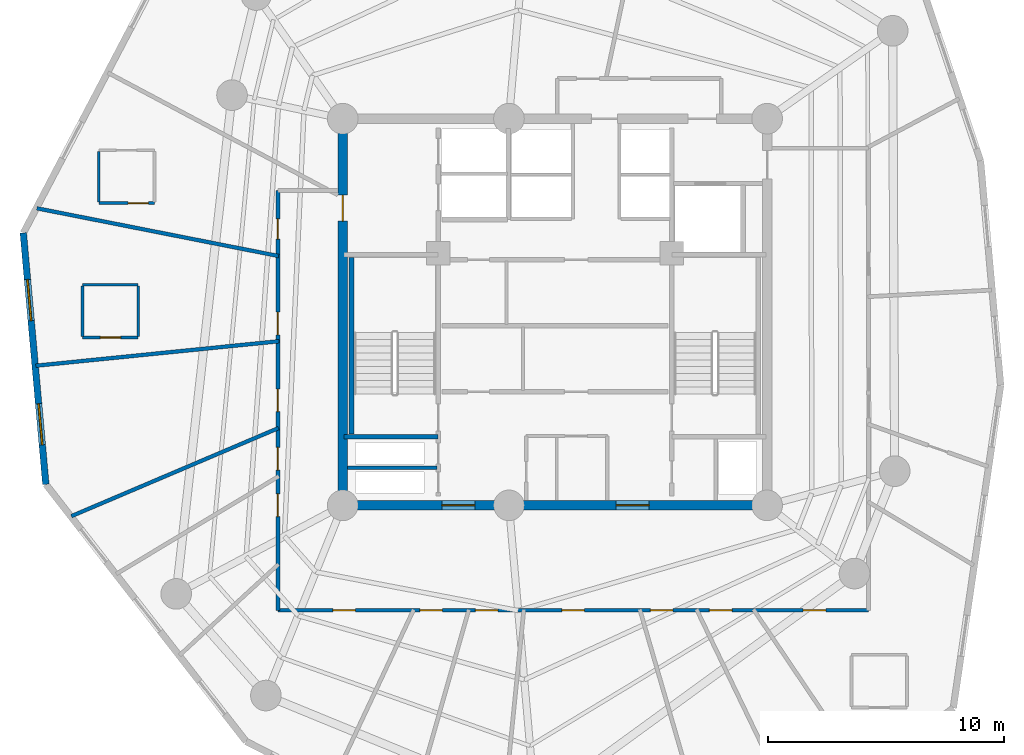
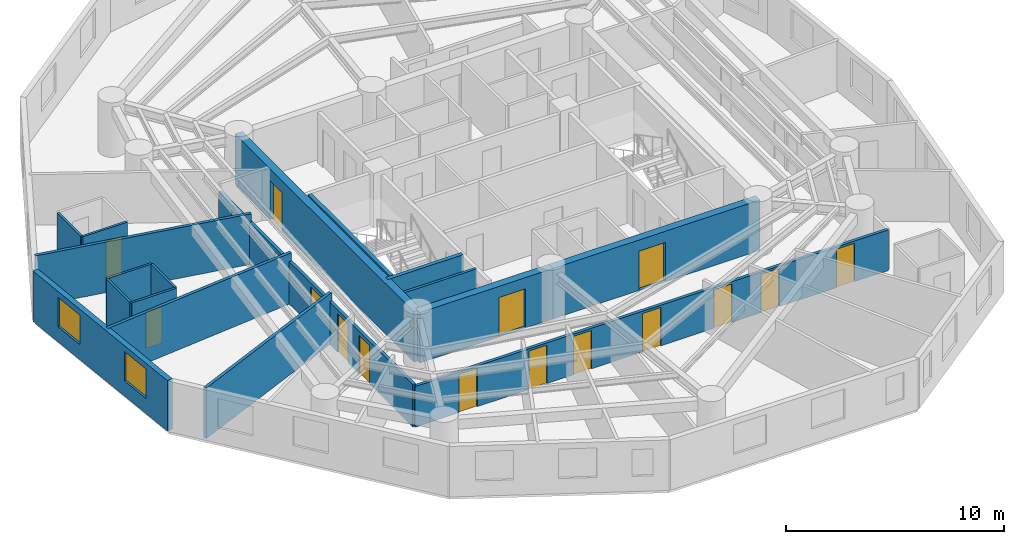
# One storey, part 3 of 7: 18 walls, 17 doors, 2 windows, 19 openings.
"""IFC4 building model written with IfcOpenShell, lengths in metres."""

from ifc_helpers import new_model, si_unit, direction, frame, frame_2d, origin, origin_with_axes, place, context, subcontext, project, spatial, rectangle, extrude, source, transform, mapped, material, layer, layer_set, type_object, element, fill, save


model = new_model("IFC4")

# Units and contexts
model_context = context("Model", 3, precision=1e-05, world=origin(), true_north=direction((0.0, 1.0)))
body_context = subcontext(model_context, "Body", "Model", "MODEL_VIEW")
ifc_project = project(units=[si_unit("LENGTHUNIT", "METRE"), si_unit("AREAUNIT", "SQUARE_METRE"), si_unit("VOLUMEUNIT", "CUBIC_METRE"), si_unit("PLANEANGLEUNIT", "RADIAN"), si_unit("MASSUNIT", "GRAM", prefix="KILO")], contexts=[model_context])

# Site, building, storey
site_placement = place(None, origin())
site = spatial("IfcSite", under=ifc_project, at=site_placement, CompositionType="ELEMENT")
building_placement = place(site_placement, origin())
building = spatial("IfcBuilding", under=site, at=building_placement, Name="Karkom Vertical University and Central Library", CompositionType="ELEMENT")
storey_placement = place(building_placement, frame((0.0, 0.0, 199.25)))
storey = spatial("IfcBuildingStorey", under=building, at=storey_placement, Name="L58", CompositionType="ELEMENT", Elevation=199.25)

# Wall, openings, windows
ifc_material_1 = material(Name="Brick-faced precast concrete C45/55", Category="masonry")
ifc_layer_1 = layer(ifc_material_1, 0.280029296875)
ifc_layer_set_1 = layer_set([ifc_layer_1], Name="Brick-faced precast concrete C45/55")
wall_type_1 = type_object("IfcWallType", Name="ENV-WL-BRK-280", PredefinedType="SOLIDWALL", material=ifc_layer_set_1)
wall_1_placement = place(storey_placement, frame((5.95068359375, 29.854736328125, 0.0), z_axis=(0.0, 0.0, 1.0), x_axis=(0.08926720843, -0.996007713574, 0.0)))
wall_1 = element("IfcWall", 1, at=wall_1_placement, inside=storey, type_object=wall_type_1, Name="Level 58 Brick-Faced Precast Facade Wall 01", PredefinedType="SOLIDWALL", context=body_context, shape_type="SweptSolid", body=[
    extrude(rectangle(XDim=10.707275390625, YDim=0.280029296875, at=frame_2d((5.353515625, 0.0))), origin(), (0.0, 0.0, 1.0), 2.824951171875),
])
opening_1_placement = place(wall_1_placement, frame((1.9833984375, 0.0, 0.85009765625)))
opening_1 = element("IfcOpeningElement", 2, at=opening_1_placement, cuts=wall_1, Name="Opening WN-08", PredefinedType="OPENING", context=body_context, shape_type="SweptSolid", body=[
    extrude(rectangle(XDim=1.75, YDim=1.64990234375, at=frame_2d((0.875, 0.824951171875))), frame((0.0, 0.14990234375, 0.0), z_axis=(0.0, -1.0, 0.0), x_axis=(1.0, 0.0, 0.0)), (0.0, 0.0, 1.0), 0.300048828125),
])
opening_2_placement = place(wall_1_placement, frame((7.277099609375, 0.0, 0.85009765625)))
opening_2 = element("IfcOpeningElement", 3, at=opening_2_placement, cuts=wall_1, Name="Opening WN-08", PredefinedType="OPENING", context=body_context, shape_type="SweptSolid", body=[
    extrude(rectangle(XDim=1.75, YDim=1.64990234375, at=frame_2d((0.875, 0.824951171875))), frame((0.0, 0.14990234375, 0.0), z_axis=(0.0, -1.0, 0.0), x_axis=(1.0, 0.0, 0.0)), (0.0, 0.0, 1.0), 0.300048828125),
])
ifc_material_2 = material(Name="Aluminium thermal-break frame with solar-control IGU", Category="aluminium")
window_type = type_object("IfcWindowType", Name="ENV-WIN-WN-08", PartitioningType="SINGLE_PANEL", PredefinedType="WINDOW", material=ifc_material_2)
shared_shape_1 = source(origin_with_axes(), body_context, "Body", "SweptSolid", [
    extrude(rectangle(XDim=1.75, YDim=1.64990234375, at=frame_2d((0.875, 0.824951171875))), frame((0.0, 0.030029296875, 0.0), z_axis=(0.0, -1.0, 0.0), x_axis=(1.0, 0.0, 0.0)), (0.0, 0.0, 1.0), 0.06005859375),
])
window_1_placement = place(opening_1_placement, origin())
window_1 = element("IfcWindow", 4, at=window_1_placement, inside=storey, type_object=window_type, Name="Level 58 Punched Window 1.1", OverallHeight=1.64990234375, OverallWidth=1.75, PartitioningType="SINGLE_PANEL", PredefinedType="WINDOW", context=body_context, shape_type="MappedRepresentation", body=[
    mapped(shared_shape_1, transform((0.0, 0.0, 0.0), scale=1.0)),
])
fill(opening_1, window_1)
window_2_placement = place(opening_2_placement, origin())
window_2 = element("IfcWindow", 5, at=window_2_placement, inside=storey, type_object=window_type, Name="Level 58 Punched Window 1.2", OverallHeight=1.64990234375, OverallWidth=1.75, PartitioningType="SINGLE_PANEL", PredefinedType="WINDOW", context=body_context, shape_type="MappedRepresentation", body=[
    mapped(shared_shape_1, transform((0.0, 0.0, 0.0), scale=1.0)),
])
fill(opening_2, window_2)

# Wall, openings, doors
ifc_material_3 = material(Name="Insulated metal-stud drywall 160mm", Category="gypsum")
ifc_layer_2 = layer(ifc_material_3, 0.159912109375)
ifc_layer_set_2 = layer_set([ifc_layer_2], Name="Insulated metal-stud drywall 160mm")
wall_type_2 = type_object("IfcWallType", Name="INT-WL-COR-160", PredefinedType="PARTITIONING", material=ifc_layer_set_2)
wall_2_placement = place(storey_placement, frame((41.800048828125, 13.85009765625, 0.0), z_axis=(0.0, 0.0, 1.0), x_axis=(-1.0, 0.0, 0.0)))
wall_2 = element("IfcWall", 6, at=wall_2_placement, inside=storey, type_object=wall_type_2, Name="Level 58 Interior Partition Wall L58-CORW-CW-001", PredefinedType="PARTITIONING", context=body_context, shape_type="SweptSolid", body=[
    extrude(rectangle(XDim=25.050048828125, YDim=0.159912109375, at=frame_2d((12.52490234375, 0.0))), origin(), (0.0, 0.0, 1.0), 2.27490234375),
])
opening_3_placement = place(wall_2_placement, frame((1.812255859375, 0.0, 0.0)))
opening_3 = element("IfcOpeningElement", 7, at=opening_3_placement, cuts=wall_2, Name="Opening FD-RM2", PredefinedType="OPENING", context=body_context, shape_type="SweptSolid", body=[
    extrude(rectangle(XDim=0.9599609375, YDim=2.14990234375, at=frame_2d((0.47998046875, 1.074951171875))), frame((0.0, 0.08984375, 0.0), z_axis=(0.0, -1.0, 0.0), x_axis=(1.0, 0.0, 0.0)), (0.0, 0.0, 1.0), 0.179931640625),
])
opening_4_placement = place(wall_2_placement, frame((21.760986328125, 0.0, 0.0)))
opening_4 = element("IfcOpeningElement", 8, at=opening_4_placement, cuts=wall_2, Name="Opening FD-RM2", PredefinedType="OPENING", context=body_context, shape_type="SweptSolid", body=[
    extrude(rectangle(XDim=0.9599609375, YDim=2.14990234375, at=frame_2d((0.47998046875, 1.074951171875))), frame((0.0, 0.08984375, 0.0), z_axis=(0.0, -1.0, 0.0), x_axis=(1.0, 0.0, 0.0)), (0.0, 0.0, 1.0), 0.179931640625),
])
opening_5_placement = place(wall_2_placement, frame((18.072509765625, 0.0, 0.0)))
opening_5 = element("IfcOpeningElement", 9, at=opening_5_placement, cuts=wall_2, Name="Opening FD-RM2", PredefinedType="OPENING", context=body_context, shape_type="SweptSolid", body=[
    extrude(rectangle(XDim=0.9599609375, YDim=2.14990234375, at=frame_2d((0.47998046875, 1.074951171875))), frame((0.0, 0.08984375, 0.0), z_axis=(0.0, -1.0, 0.0), x_axis=(1.0, 0.0, 0.0)), (0.0, 0.0, 1.0), 0.179931640625),
])
opening_6_placement = place(wall_2_placement, frame((15.717529296875, 0.0, 0.0)))
opening_6 = element("IfcOpeningElement", 10, at=opening_6_placement, cuts=wall_2, Name="Opening FD-RM2", PredefinedType="OPENING", context=body_context, shape_type="SweptSolid", body=[
    extrude(rectangle(XDim=0.9599609375, YDim=2.14990234375, at=frame_2d((0.47998046875, 1.074951171875))), frame((0.0, 0.08984375, 0.0), z_axis=(0.0, -1.0, 0.0), x_axis=(1.0, 0.0, 0.0)), (0.0, 0.0, 1.0), 0.179931640625),
])
opening_7_placement = place(wall_2_placement, frame((12.050048828125, 0.0, 0.0)))
opening_7 = element("IfcOpeningElement", 11, at=opening_7_placement, cuts=wall_2, Name="Opening FD-RM2", PredefinedType="OPENING", context=body_context, shape_type="SweptSolid", body=[
    extrude(rectangle(XDim=0.9599609375, YDim=2.14990234375, at=frame_2d((0.47998046875, 1.074951171875))), frame((0.0, 0.08984375, 0.0), z_axis=(0.0, -1.0, 0.0), x_axis=(1.0, 0.0, 0.0)), (0.0, 0.0, 1.0), 0.179931640625),
])
opening_8_placement = place(wall_2_placement, frame((8.29248046875, 0.0, 0.0)))
opening_8 = element("IfcOpeningElement", 12, at=opening_8_placement, cuts=wall_2, Name="Opening FD-RM2", PredefinedType="OPENING", context=body_context, shape_type="SweptSolid", body=[
    extrude(rectangle(XDim=0.9599609375, YDim=2.14990234375, at=frame_2d((0.47998046875, 1.074951171875))), frame((0.0, 0.08984375, 0.0), z_axis=(0.0, -1.0, 0.0), x_axis=(1.0, 0.0, 0.0)), (0.0, 0.0, 1.0), 0.179931640625),
])
opening_9_placement = place(wall_2_placement, frame((5.78759765625, 0.0, 0.0)))
opening_9 = element("IfcOpeningElement", 13, at=opening_9_placement, cuts=wall_2, Name="Opening FD-RM2", PredefinedType="OPENING", context=body_context, shape_type="SweptSolid", body=[
    extrude(rectangle(XDim=0.9599609375, YDim=2.14990234375, at=frame_2d((0.47998046875, 1.074951171875))), frame((0.0, 0.08984375, 0.0), z_axis=(0.0, -1.0, 0.0), x_axis=(1.0, 0.0, 0.0)), (0.0, 0.0, 1.0), 0.179931640625),
])
ifc_material_4 = material(Name="Fire-rated oak veneer door", Category="wood")
door_type_1 = type_object("IfcDoorType", Name="INT-DR-FRM2", OperationType="NOTDEFINED", PredefinedType="DOOR", material=ifc_material_4)
shared_shape_2 = source(origin_with_axes(), body_context, "Body", "SweptSolid", [
    extrude(rectangle(XDim=0.9599609375, YDim=2.14990234375, at=frame_2d((0.47998046875, 1.074951171875))), frame((0.0, 0.02490234375, 0.0), z_axis=(0.0, -1.0, 0.0), x_axis=(1.0, 0.0, 0.0)), (0.0, 0.0, 1.0), 0.050048828125),
])
door_1_placement = place(opening_3_placement, origin())
door_1 = element("IfcDoor", 14, at=door_1_placement, inside=storey, type_object=door_type_1, Name="Level 58 Room Entry Door 090", OperationType="SINGLE_SWING_RIGHT", OverallHeight=2.14990234375, OverallWidth=0.9599609375, PredefinedType="DOOR", context=body_context, shape_type="MappedRepresentation", body=[
    mapped(shared_shape_2, transform((0.0, 0.0, 0.0), scale=1.0)),
])
fill(opening_3, door_1)
door_2_placement = place(opening_4_placement, origin())
door_2 = element("IfcDoor", 15, at=door_2_placement, inside=storey, type_object=door_type_1, Name="Level 58 Room Entry Door 031", OperationType="SINGLE_SWING_LEFT", OverallHeight=2.14990234375, OverallWidth=0.9599609375, PredefinedType="DOOR", context=body_context, shape_type="MappedRepresentation", body=[
    mapped(shared_shape_2, transform((0.0, 0.0, 0.0), scale=1.0)),
])
fill(opening_4, door_2)
door_3_placement = place(opening_5_placement, origin())
door_3 = element("IfcDoor", 16, at=door_3_placement, inside=storey, type_object=door_type_1, Name="Level 58 Room Entry Door 041", OperationType="SINGLE_SWING_RIGHT", OverallHeight=2.14990234375, OverallWidth=0.9599609375, PredefinedType="DOOR", context=body_context, shape_type="MappedRepresentation", body=[
    mapped(shared_shape_2, transform((0.0, 0.0, 0.0), scale=1.0)),
])
fill(opening_5, door_3)
door_4_placement = place(opening_6_placement, origin())
door_4 = element("IfcDoor", 17, at=door_4_placement, inside=storey, type_object=door_type_1, Name="Level 58 Room Entry Door 051", OperationType="SINGLE_SWING_LEFT", OverallHeight=2.14990234375, OverallWidth=0.9599609375, PredefinedType="DOOR", context=body_context, shape_type="MappedRepresentation", body=[
    mapped(shared_shape_2, transform((0.0, 0.0, 0.0), scale=1.0)),
])
fill(opening_6, door_4)
door_5_placement = place(opening_7_placement, origin())
door_5 = element("IfcDoor", 18, at=door_5_placement, inside=storey, type_object=door_type_1, Name="Level 58 Room Entry Door 061", OperationType="SINGLE_SWING_RIGHT", OverallHeight=2.14990234375, OverallWidth=0.9599609375, PredefinedType="DOOR", context=body_context, shape_type="MappedRepresentation", body=[
    mapped(shared_shape_2, transform((0.0, 0.0, 0.0), scale=1.0)),
])
fill(opening_7, door_5)
door_6_placement = place(opening_8_placement, origin())
door_6 = element("IfcDoor", 19, at=door_6_placement, inside=storey, type_object=door_type_1, Name="Level 58 Room Entry Door 071", OperationType="SINGLE_SWING_LEFT", OverallHeight=2.14990234375, OverallWidth=0.9599609375, PredefinedType="DOOR", context=body_context, shape_type="MappedRepresentation", body=[
    mapped(shared_shape_2, transform((0.0, 0.0, 0.0), scale=1.0)),
])
fill(opening_8, door_6)
door_7_placement = place(opening_9_placement, origin())
door_7 = element("IfcDoor", 20, at=door_7_placement, inside=storey, type_object=door_type_1, Name="Level 58 Room Entry Door 081", OperationType="SINGLE_SWING_RIGHT", OverallHeight=2.14990234375, OverallWidth=0.9599609375, PredefinedType="DOOR", context=body_context, shape_type="MappedRepresentation", body=[
    mapped(shared_shape_2, transform((0.0, 0.0, 0.0), scale=1.0)),
])
fill(opening_9, door_7)

wall_3_placement = place(storey_placement, frame((16.75, 13.85009765625, 0.0), z_axis=(0.0, 0.0, 1.0), x_axis=(0.0, 1.0, 0.0)))
wall_3 = element("IfcWall", 21, at=wall_3_placement, inside=storey, type_object=wall_type_2, Name="Level 58 Interior Partition Wall L58-CORW-CW-002", PredefinedType="PARTITIONING", context=body_context, shape_type="SweptSolid", body=[
    extrude(rectangle(XDim=17.7998046875, YDim=0.159912109375, at=frame_2d((8.89990234375, 0.0))), origin(), (0.0, 0.0, 1.0), 2.375),
])
opening_10_placement = place(wall_3_placement, frame((11.68505859375, 0.0, 0.0)))
opening_10 = element("IfcOpeningElement", 22, at=opening_10_placement, cuts=wall_3, Name="Opening FD-RM2", PredefinedType="OPENING", context=body_context, shape_type="SweptSolid", body=[
    extrude(rectangle(XDim=0.9599609375, YDim=2.14990234375, at=frame_2d((0.47998046875, 1.074951171875))), frame((0.0, 0.08984375, 0.0), z_axis=(0.0, -1.0, 0.0), x_axis=(1.0, 0.0, 0.0)), (0.0, 0.0, 1.0), 0.179931640625),
])
opening_11_placement = place(wall_3_placement, frame((8.425048828125, 0.0, 0.0)))
opening_11 = element("IfcOpeningElement", 23, at=opening_11_placement, cuts=wall_3, Name="Opening FD-RM2", PredefinedType="OPENING", context=body_context, shape_type="SweptSolid", body=[
    extrude(rectangle(XDim=0.9599609375, YDim=2.14990234375, at=frame_2d((0.47998046875, 1.074951171875))), frame((0.0, 0.08984375, 0.0), z_axis=(0.0, -1.0, 0.0), x_axis=(1.0, 0.0, 0.0)), (0.0, 0.0, 1.0), 0.179931640625),
])
opening_12_placement = place(wall_3_placement, frame((5.945068359375, 0.0, 0.0)))
opening_12 = element("IfcOpeningElement", 24, at=opening_12_placement, cuts=wall_3, Name="Opening FD-RM2", PredefinedType="OPENING", context=body_context, shape_type="SweptSolid", body=[
    extrude(rectangle(XDim=0.9599609375, YDim=2.14990234375, at=frame_2d((0.47998046875, 1.074951171875))), frame((0.0, 0.08984375, 0.0), z_axis=(0.0, -1.0, 0.0), x_axis=(1.0, 0.0, 0.0)), (0.0, 0.0, 1.0), 0.179931640625),
])
opening_13_placement = place(wall_3_placement, frame((3.97509765625, 0.0, 0.0)))
opening_13 = element("IfcOpeningElement", 25, at=opening_13_placement, cuts=wall_3, Name="Opening FD-RM2", PredefinedType="OPENING", context=body_context, shape_type="SweptSolid", body=[
    extrude(rectangle(XDim=0.9599609375, YDim=2.14990234375, at=frame_2d((0.47998046875, 1.074951171875))), frame((0.0, 0.08984375, 0.0), z_axis=(0.0, -1.0, 0.0), x_axis=(1.0, 0.0, 0.0)), (0.0, 0.0, 1.0), 0.179931640625),
])
opening_14_placement = place(wall_3_placement, frame((15.74072265625, 0.0, 0.0)))
opening_14 = element("IfcOpeningElement", 26, at=opening_14_placement, cuts=wall_3, Name="Opening FD-BTH2", PredefinedType="OPENING", context=body_context, shape_type="SweptSolid", body=[
    extrude(rectangle(XDim=0.860107421875, YDim=2.0400390625, at=frame_2d((0.43017578125, 1.02001953125))), frame((0.0, 0.08984375, 0.0), z_axis=(0.0, -1.0, 0.0), x_axis=(1.0, 0.0, 0.0)), (0.0, 0.0, 1.0), 0.179931640625),
])
door_8_placement = place(opening_10_placement, origin())
door_8 = element("IfcDoor", 27, at=door_8_placement, inside=storey, type_object=door_type_1, Name="Level 58 Room Entry Door 160", OperationType="SINGLE_SWING_LEFT", OverallHeight=2.14990234375, OverallWidth=0.9599609375, PredefinedType="DOOR", context=body_context, shape_type="MappedRepresentation", body=[
    mapped(shared_shape_2, transform((0.0, 0.0, 0.0), scale=1.0)),
])
fill(opening_10, door_8)
door_9_placement = place(opening_11_placement, origin())
door_9 = element("IfcDoor", 28, at=door_9_placement, inside=storey, type_object=door_type_1, Name="Level 58 Room Entry Door 001", OperationType="SINGLE_SWING_RIGHT", OverallHeight=2.14990234375, OverallWidth=0.9599609375, PredefinedType="DOOR", context=body_context, shape_type="MappedRepresentation", body=[
    mapped(shared_shape_2, transform((0.0, 0.0, 0.0), scale=1.0)),
])
fill(opening_11, door_9)
door_10_placement = place(opening_12_placement, origin())
door_10 = element("IfcDoor", 29, at=door_10_placement, inside=storey, type_object=door_type_1, Name="Level 58 Room Entry Door 011", OperationType="SINGLE_SWING_LEFT", OverallHeight=2.14990234375, OverallWidth=0.9599609375, PredefinedType="DOOR", context=body_context, shape_type="MappedRepresentation", body=[
    mapped(shared_shape_2, transform((0.0, 0.0, 0.0), scale=1.0)),
])
fill(opening_12, door_10)
door_11_placement = place(opening_13_placement, origin())
door_11 = element("IfcDoor", 30, at=door_11_placement, inside=storey, type_object=door_type_1, Name="Level 58 Room Entry Door 021", OperationType="SINGLE_SWING_RIGHT", OverallHeight=2.14990234375, OverallWidth=0.9599609375, PredefinedType="DOOR", context=body_context, shape_type="MappedRepresentation", body=[
    mapped(shared_shape_2, transform((0.0, 0.0, 0.0), scale=1.0)),
])
fill(opening_13, door_11)
ifc_material_5 = material(Name="Fire-rated moisture-resistant oak door", Category="wood")
door_type_2 = type_object("IfcDoorType", Name="INT-DR-FBTH2", OperationType="NOTDEFINED", PredefinedType="DOOR", material=ifc_material_5)
shared_shape_3 = source(origin_with_axes(), body_context, "Body", "SweptSolid", [
    extrude(rectangle(XDim=0.860107421875, YDim=2.0400390625, at=frame_2d((0.43017578125, 1.02001953125))), frame((0.0, 0.02490234375, 0.0), z_axis=(0.0, -1.0, 0.0), x_axis=(1.0, 0.0, 0.0)), (0.0, 0.0, 1.0), 0.050048828125),
])
door_12_placement = place(opening_14_placement, origin())
door_12 = element("IfcDoor", 31, at=door_12_placement, inside=storey, type_object=door_type_2, Name="Level 58 Key L58-15 Visiting Scholar Hotel Room Entry Door", OperationType="SINGLE_SWING_LEFT", OverallHeight=2.0400390625, OverallWidth=0.860107421875, PredefinedType="DOOR", context=body_context, shape_type="MappedRepresentation", body=[
    mapped(shared_shape_3, transform((0.0, 0.0, 0.0), scale=1.0)),
])
fill(opening_14, door_12)

# Walls
wall_4_placement = place(storey_placement, frame((16.779296875, 28.875, 0.0), z_axis=(0.0, 0.0, 1.0), x_axis=(-0.981067427603, 0.193666472311, 0.0)))
element("IfcWall", 32, at=wall_4_placement, inside=storey, type_object=wall_type_2, Name="Level 58 Interior Partition Wall L58-PW-017", PredefinedType="PARTITIONING", context=body_context, shape_type="SweptSolid", body=[
    extrude(rectangle(XDim=10.447998046875, YDim=0.159912109375, at=frame_2d((5.22412109375, 0.0))), origin(), (0.0, 0.0, 1.0), 2.824951171875),
])
wall_5_placement = place(storey_placement, frame((6.480712890625, 24.222412109375, 0.0), z_axis=(0.0, 0.0, 1.0), x_axis=(0.994968633779, 0.100186914292, 0.0)))
element("IfcWall", 33, at=wall_5_placement, inside=storey, type_object=wall_type_2, Name="Level 58 Interior Partition Wall L58-PW-002", PredefinedType="PARTITIONING", context=body_context, shape_type="SweptSolid", body=[
    extrude(rectangle(XDim=10.366455078125, YDim=0.159912109375, at=frame_2d((5.18310546875, 0.0))), origin(), (0.0, 0.0, 1.0), 2.824951171875),
])
wall_6_placement = place(storey_placement, frame((16.777587890625, 21.5791015625, 0.0), z_axis=(0.0, 0.0, 1.0), x_axis=(-0.920225962441, -0.391387503697, 0.0)))
element("IfcWall", 34, at=wall_6_placement, inside=storey, type_object=wall_type_2, Name="Level 58 Interior Partition Wall L58-PW-001", PredefinedType="PARTITIONING", context=body_context, shape_type="SweptSolid", body=[
    extrude(rectangle(XDim=9.548828125, YDim=0.159912109375, at=frame_2d((4.7744140625, 0.0))), origin(), (0.0, 0.0, 1.0), 2.824951171875),
])

# Wall, opening, door
ifc_material_6 = material(Name="Moisture-resistant drywall 120mm", Category="gypsum")
ifc_layer_3 = layer(ifc_material_6, 0.1201171875)
ifc_layer_set_3 = layer_set([ifc_layer_3], Name="Moisture-resistant drywall 120mm")
wall_type_3 = type_object("IfcWallType", Name="INT-WL-INT-120F", PredefinedType="PARTITIONING", material=ifc_layer_set_3)
wall_7_placement = place(storey_placement, frame((9.153076171875, 31.118896484375, 0.0), z_axis=(0.0, 0.0, 1.0), x_axis=(1.0, 0.0, 0.0)))
wall_7 = element("IfcWall", 35, at=wall_7_placement, inside=storey, type_object=wall_type_3, Name="Level 58 Interior Partition Wall L58-ENS-15-S", PredefinedType="PARTITIONING", context=body_context, shape_type="SweptSolid", body=[
    extrude(rectangle(XDim=2.35986328125, YDim=0.1201171875, at=frame_2d((1.179931640625, 0.0))), origin(), (0.0, 0.0, 1.0), 2.824951171875),
])
opening_15_placement = place(wall_7_placement, frame((1.239990234375, 0.0, 0.0)))
opening_15 = element("IfcOpeningElement", 36, at=opening_15_placement, cuts=wall_7, Name="Opening D-BATH", PredefinedType="OPENING", context=body_context, shape_type="SweptSolid", body=[
    extrude(rectangle(XDim=0.860107421875, YDim=2.10009765625, at=frame_2d((0.43017578125, 1.050048828125))), frame((0.0, 0.070068359375, 0.0), z_axis=(0.0, -1.0, 0.0), x_axis=(1.0, 0.0, 0.0)), (0.0, 0.0, 1.0), 0.14013671875),
])
ifc_material_7 = material(Name="Moisture-resistant oak door", Category="wood")
door_type_3 = type_object("IfcDoorType", Name="INT-DR-BATH", OperationType="NOTDEFINED", PredefinedType="DOOR", material=ifc_material_7)
shared_shape_4 = source(origin_with_axes(), body_context, "Body", "SweptSolid", [
    extrude(rectangle(XDim=0.860107421875, YDim=2.10009765625, at=frame_2d((0.43017578125, 1.050048828125))), frame((0.0, 0.02490234375, 0.0), z_axis=(0.0, -1.0, 0.0), x_axis=(1.0, 0.0, 0.0)), (0.0, 0.0, 1.0), 0.050048828125),
])
door_13_placement = place(opening_15_placement, origin())
door_13 = element("IfcDoor", 37, at=door_13_placement, inside=storey, type_object=door_type_3, Name="Level 58 En-Suite Bathroom Door 15", OperationType="SINGLE_SWING_LEFT", OverallHeight=2.10009765625, OverallWidth=0.860107421875, PredefinedType="DOOR", context=body_context, shape_type="MappedRepresentation", body=[
    mapped(shared_shape_4, transform((0.0, 0.0, 0.0), scale=1.0)),
])
fill(opening_15, door_13)

wall_8_placement = place(storey_placement, frame((8.465087890625, 25.41796875, 0.0), z_axis=(0.0, 0.0, 1.0), x_axis=(1.0, 0.0, 0.0)))
wall_8 = element("IfcWall", 38, at=wall_8_placement, inside=storey, type_object=wall_type_3, Name="Level 58 Interior Partition Wall L58-ENS-16-S", PredefinedType="PARTITIONING", context=body_context, shape_type="SweptSolid", body=[
    extrude(rectangle(XDim=2.35986328125, YDim=0.1201171875, at=frame_2d((1.179931640625, 0.0))), origin(), (0.0, 0.0, 1.0), 2.824951171875),
])
opening_16_placement = place(wall_8_placement, frame((0.75, 0.0, 0.0)))
opening_16 = element("IfcOpeningElement", 39, at=opening_16_placement, cuts=wall_8, Name="Opening D-BTH2", PredefinedType="OPENING", context=body_context, shape_type="SweptSolid", body=[
    extrude(rectangle(XDim=0.860107421875, YDim=2.0400390625, at=frame_2d((0.43017578125, 1.02001953125))), frame((0.0, 0.070068359375, 0.0), z_axis=(0.0, -1.0, 0.0), x_axis=(1.0, 0.0, 0.0)), (0.0, 0.0, 1.0), 0.14013671875),
])
door_type_4 = type_object("IfcDoorType", Name="INT-DR-DBTH2", OperationType="NOTDEFINED", PredefinedType="DOOR", material=ifc_material_7)
door_14_placement = place(opening_16_placement, origin())
door_14 = element("IfcDoor", 40, at=door_14_placement, inside=storey, type_object=door_type_4, Name="Level 58 En-Suite Bathroom Door 16", OperationType="SINGLE_SWING_RIGHT", OverallHeight=2.0400390625, OverallWidth=0.860107421875, PredefinedType="DOOR", context=body_context, shape_type="MappedRepresentation", body=[
    mapped(shared_shape_3, transform((0.0, 0.0, 0.0), scale=1.0)),
])
fill(opening_16, door_14)

# Walls
wall_9_placement = place(storey_placement, frame((10.824951171875, 27.657958984375, 0.0), z_axis=(0.0, 0.0, 1.0), x_axis=(-1.0, 0.0, 0.0)))
element("IfcWall", 41, at=wall_9_placement, inside=storey, type_object=wall_type_3, Name="Level 58 Interior Partition Wall L58-ENS-16-N", PredefinedType="PARTITIONING", context=body_context, shape_type="SweptSolid", body=[
    extrude(rectangle(XDim=2.35986328125, YDim=0.1201171875, at=frame_2d((1.179931640625, 0.0))), origin(), (0.0, 0.0, 1.0), 2.824951171875),
])
for number, where, z_axis, x_axis, name in (
    (42, (10.824951171875, 25.468017578125, 0.0), (0.0, 0.0, 1.0), (0.0, 1.0, 0.0), "Level 58 Interior Partition Wall L58-ENS-16-E"),
    (43, (8.465087890625, 27.60791015625, 0.0), (0.0, 0.0, 1.0), (0.0, -1.0, 0.0), "Level 58 Interior Partition Wall L58-ENS-16-W"),
):
    element("IfcWall", number, at=place(storey_placement, frame(where, z_axis=z_axis, x_axis=x_axis)), inside=storey, type_object=wall_type_3, Name=name, PredefinedType="PARTITIONING", context=body_context, shape_type="SweptSolid", body=[
        extrude(rectangle(XDim=2.139892578125, YDim=0.1201171875, at=frame_2d((1.06982421875, 0.0))), origin(), (0.0, 0.0, 1.0), 2.824951171875),
    ])
wall_10_placement = place(storey_placement, frame((9.153076171875, 33.30908203125, 0.0), z_axis=(0.0, 0.0, 1.0), x_axis=(0.0, -1.0, 0.0)))
element("IfcWall", 44, at=wall_10_placement, inside=storey, type_object=wall_type_3, Name="Level 58 Interior Partition Wall L58-ENS-15-W", PredefinedType="PARTITIONING", context=body_context, shape_type="SweptSolid", body=[
    extrude(rectangle(XDim=2.14013671875, YDim=0.1201171875, at=frame_2d((1.070068359375, 0.0))), origin(), (0.0, 0.0, 1.0), 2.824951171875),
])
ifc_material_8 = material(Name="Metal-stud gypsum partition 140mm", Category="gypsum")
ifc_layer_4 = layer(ifc_material_8, 0.139892578125)
ifc_layer_set_4 = layer_set([ifc_layer_4], Name="Metal-stud gypsum partition 140mm")
wall_type_4 = type_object("IfcWallType", Name="INT-WL-SUB-140H", PredefinedType="PARTITIONING", material=ifc_layer_set_4)
wall_11_placement = place(storey_placement, frame((19.70703125, 19.889892578125, 0.0), z_axis=(0.0, 0.0, 1.0), x_axis=(1.0, 0.0, 0.0)))
element("IfcWall", 45, at=wall_11_placement, inside=storey, type_object=wall_type_4, Name="Level 58 Interior Partition Wall L58-CW-RIS-W", PredefinedType="PARTITIONING", context=body_context, shape_type="SweptSolid", body=[
    extrude(rectangle(XDim=3.789794921875, YDim=0.139892578125, at=frame_2d((1.89501953125, 0.0))), origin(), (0.0, 0.0, 1.0), 2.824951171875),
])

# Wall, opening, door
ifc_material_9 = material(Name="Concrete C50/60", Category="concrete")
ifc_layer_5 = layer(ifc_material_9, 0.39990234375)
ifc_layer_set_5 = layer_set([ifc_layer_5], Name="Concrete C50/60")
wall_type_5 = type_object("IfcWallType", Name="STR-WL-CW-400", PredefinedType="SHEAR", material=ifc_layer_set_5)
wall_12_placement = place(storey_placement, frame((19.5, 18.300048828125, 0.0), z_axis=(0.0, 0.0, 1.0), x_axis=(1.0, 0.0, 0.0)))
wall_12 = element("IfcWall", 46, at=wall_12_placement, inside=storey, type_object=wall_type_5, Name="Level 58 Central Core Shear Wall SW1", PredefinedType="SHEAR", context=body_context, shape_type="SweptSolid", body=[
    extrude(rectangle(XDim=7.050048828125, YDim=0.39990234375, at=frame_2d((3.52490234375, 0.0))), origin(), (0.0, 0.0, 1.0), 2.824951171875),
])
opening_17_placement = place(wall_12_placement, frame((4.199951171875, 0.0, 0.0)))
opening_17 = element("IfcOpeningElement", 47, at=opening_17_placement, cuts=wall_12, Name="Opening FD-CLB", PredefinedType="OPENING", context=body_context, shape_type="SweptSolid", body=[
    extrude(rectangle(XDim=1.39990234375, YDim=2.199951171875, at=frame_2d((0.699951171875, 1.10009765625))), frame((0.0, 0.2099609375, 0.0), z_axis=(0.0, -1.0, 0.0), x_axis=(1.0, 0.0, 0.0)), (0.0, 0.0, 1.0), 0.419921875),
])
ifc_material_10 = material(Name="Painted steel fire door", Category="steel")
door_type_5 = type_object("IfcDoorType", Name="INT-DR-CLB", OperationType="DOUBLE_DOOR_SINGLE_SWING", PredefinedType="DOOR", material=ifc_material_10)
shared_shape_5 = source(origin_with_axes(), body_context, "Body", "SweptSolid", [
    extrude(rectangle(XDim=1.39990234375, YDim=2.199951171875, at=frame_2d((0.699951171875, 1.10009765625))), frame((0.0, 0.02490234375, 0.0), z_axis=(0.0, -1.0, 0.0), x_axis=(1.0, 0.0, 0.0)), (0.0, 0.0, 1.0), 0.050048828125),
])
door_15_placement = place(opening_17_placement, origin())
door_15 = element("IfcDoor", 48, at=door_15_placement, inside=storey, type_object=door_type_5, Name="Level 58 South Core Lobby West Exit Door", OperationType="DOUBLE_DOOR_SINGLE_SWING", OverallHeight=2.199951171875, OverallWidth=1.39990234375, PredefinedType="DOOR", context=body_context, shape_type="MappedRepresentation", body=[
    mapped(shared_shape_5, transform((0.0, 0.0, 0.0), scale=1.0)),
])
fill(opening_17, door_15)

wall_13_placement = place(storey_placement, frame((26.550048828125, 18.300048828125, 0.0), z_axis=(0.0, 0.0, 1.0), x_axis=(1.0, 0.0, 0.0)))
wall_13 = element("IfcWall", 49, at=wall_13_placement, inside=storey, type_object=wall_type_5, Name="Level 58 Central Core Shear Wall SW2", PredefinedType="SHEAR", context=body_context, shape_type="SweptSolid", body=[
    extrude(rectangle(XDim=10.949951171875, YDim=0.39990234375, at=frame_2d((5.47509765625, 0.0))), origin(), (0.0, 0.0, 1.0), 2.824951171875),
])
opening_18_placement = place(wall_13_placement, frame((4.550048828125, 0.0, 0.0)))
opening_18 = element("IfcOpeningElement", 50, at=opening_18_placement, cuts=wall_13, Name="Opening FD-CLB", PredefinedType="OPENING", context=body_context, shape_type="SweptSolid", body=[
    extrude(rectangle(XDim=1.39990234375, YDim=2.199951171875, at=frame_2d((0.699951171875, 1.10009765625))), frame((0.0, 0.2099609375, 0.0), z_axis=(0.0, -1.0, 0.0), x_axis=(1.0, 0.0, 0.0)), (0.0, 0.0, 1.0), 0.419921875),
])
door_16_placement = place(opening_18_placement, origin())
door_16 = element("IfcDoor", 51, at=door_16_placement, inside=storey, type_object=door_type_5, Name="Level 58 South Core Lobby East Exit Door", OperationType="DOUBLE_DOOR_SINGLE_SWING", OverallHeight=2.199951171875, OverallWidth=1.39990234375, PredefinedType="DOOR", context=body_context, shape_type="MappedRepresentation", body=[
    mapped(shared_shape_5, transform((0.0, 0.0, 0.0), scale=1.0)),
])
fill(opening_18, door_16)

wall_14_placement = place(storey_placement, frame((19.5, 34.699951171875, 0.0), z_axis=(0.0, 0.0, 1.0), x_axis=(0.0, -1.0, 0.0)))
wall_14 = element("IfcWall", 52, at=wall_14_placement, inside=storey, type_object=wall_type_5, Name="Level 58 Central Core Shear Wall WW", PredefinedType="SHEAR", context=body_context, shape_type="SweptSolid", body=[
    extrude(rectangle(XDim=16.39990234375, YDim=0.39990234375, at=frame_2d((8.199951171875, 0.0))), origin(), (0.0, 0.0, 1.0), 2.824951171875),
])
opening_19_placement = place(wall_14_placement, frame((3.239990234375, 0.0, 0.0)))
opening_19 = element("IfcOpeningElement", 53, at=opening_19_placement, cuts=wall_14, Name="Opening FD-FFL", PredefinedType="OPENING", context=body_context, shape_type="SweptSolid", body=[
    extrude(rectangle(XDim=1.10009765625, YDim=2.14990234375, at=frame_2d((0.550048828125, 1.074951171875))), frame((0.0, 0.2099609375, 0.0), z_axis=(0.0, -1.0, 0.0), x_axis=(1.0, 0.0, 0.0)), (0.0, 0.0, 1.0), 0.419921875),
])
ifc_material_11 = material(Name="Painted steel smoke-seal fire door", Category="steel")
door_type_6 = type_object("IfcDoorType", Name="INT-DR-FFL", OperationType="NOTDEFINED", PredefinedType="DOOR", material=ifc_material_11)
shared_shape_6 = source(origin_with_axes(), body_context, "Body", "SweptSolid", [
    extrude(rectangle(XDim=1.10009765625, YDim=2.14990234375, at=frame_2d((0.550048828125, 1.074951171875))), frame((0.0, 0.02490234375, 0.0), z_axis=(0.0, -1.0, 0.0), x_axis=(1.0, 0.0, 0.0)), (0.0, 0.0, 1.0), 0.050048828125),
])
door_17_placement = place(opening_19_placement, origin())
door_17 = element("IfcDoor", 54, at=door_17_placement, inside=storey, type_object=door_type_6, Name="Level 58 West Corridor Firefighting Lobby Door", OperationType="SINGLE_SWING_RIGHT", OverallHeight=2.14990234375, OverallWidth=1.10009765625, PredefinedType="DOOR", context=body_context, shape_type="MappedRepresentation", body=[
    mapped(shared_shape_6, transform((0.0, 0.0, 0.0), scale=1.0)),
])
fill(opening_19, door_17)

# Walls
ifc_material_12 = material(Name="Concrete C45/55", Category="concrete")
ifc_layer_6 = layer(ifc_material_12, 0.199951171875)
ifc_layer_set_6 = layer_set([ifc_layer_6], Name="Concrete C45/55")
wall_type_6 = type_object("IfcWallType", Name="STR-WL-ST-200", PredefinedType="SHEAR", material=ifc_layer_set_6)
wall_15_placement = place(storey_placement, frame((19.875, 21.320068359375, 0.0), z_axis=(0.0, 0.0, 1.0), x_axis=(0.0, 1.0, 0.0)))
element("IfcWall", 55, at=wall_15_placement, inside=storey, type_object=wall_type_6, Name="Level 58 Core Shaft Wall L58-CW-ST1-W", PredefinedType="SHEAR", context=body_context, shape_type="SweptSolid", body=[
    extrude(rectangle(XDim=7.5, YDim=0.199951171875, at=frame_2d((3.75, 0.0))), origin(), (0.0, 0.0, 1.0), 2.824951171875),
])
wall_16_placement = place(storey_placement, frame((19.550048828125, 21.215087890625, 0.0), z_axis=(0.0, 0.0, 1.0), x_axis=(1.0, 0.0, 0.0)))
element("IfcWall", 56, at=wall_16_placement, inside=storey, type_object=wall_type_6, Name="Level 58 Core Shaft Wall L58-CW-ST1-S", PredefinedType="SHEAR", context=body_context, shape_type="SweptSolid", body=[
    extrude(rectangle(XDim=3.994873046875, YDim=0.199951171875, at=frame_2d((1.99755859375, 0.0))), origin(), (0.0, 0.0, 1.0), 2.824951171875),
])

save(model, "model.ifc")
